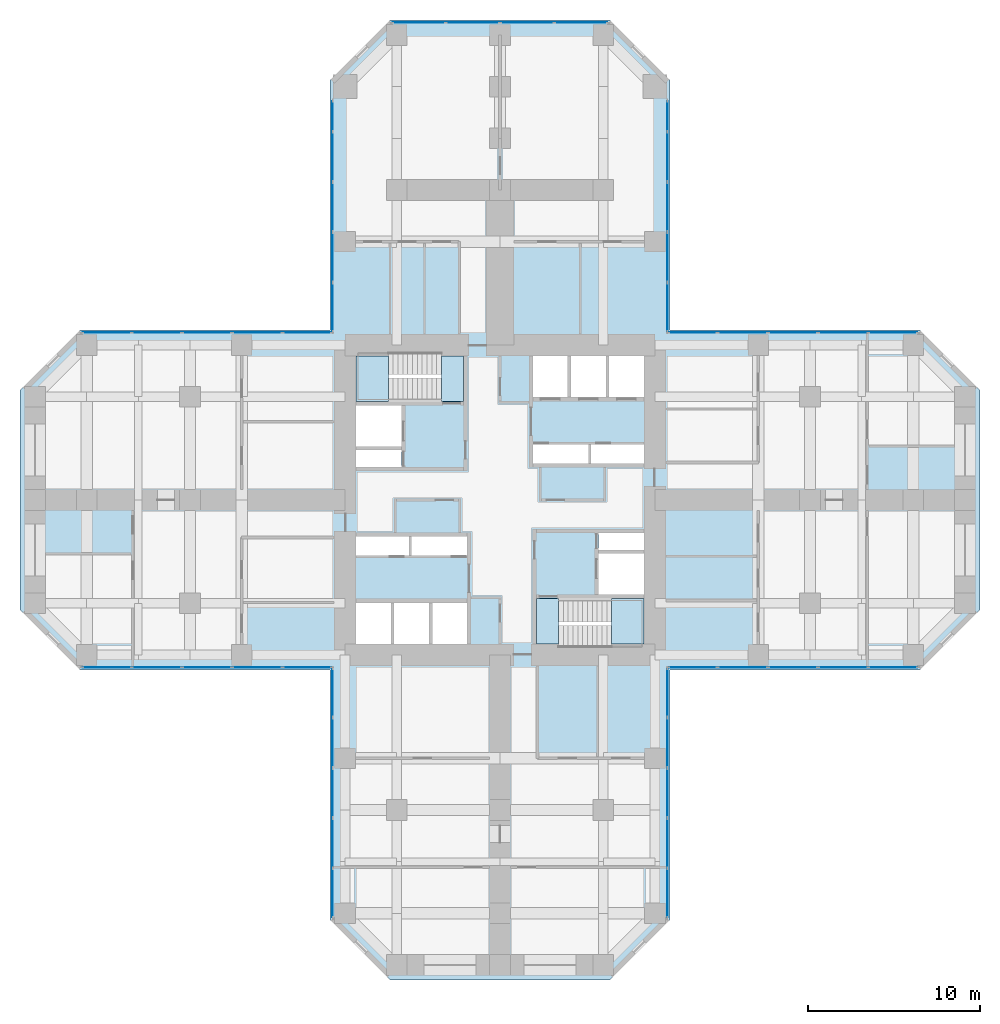
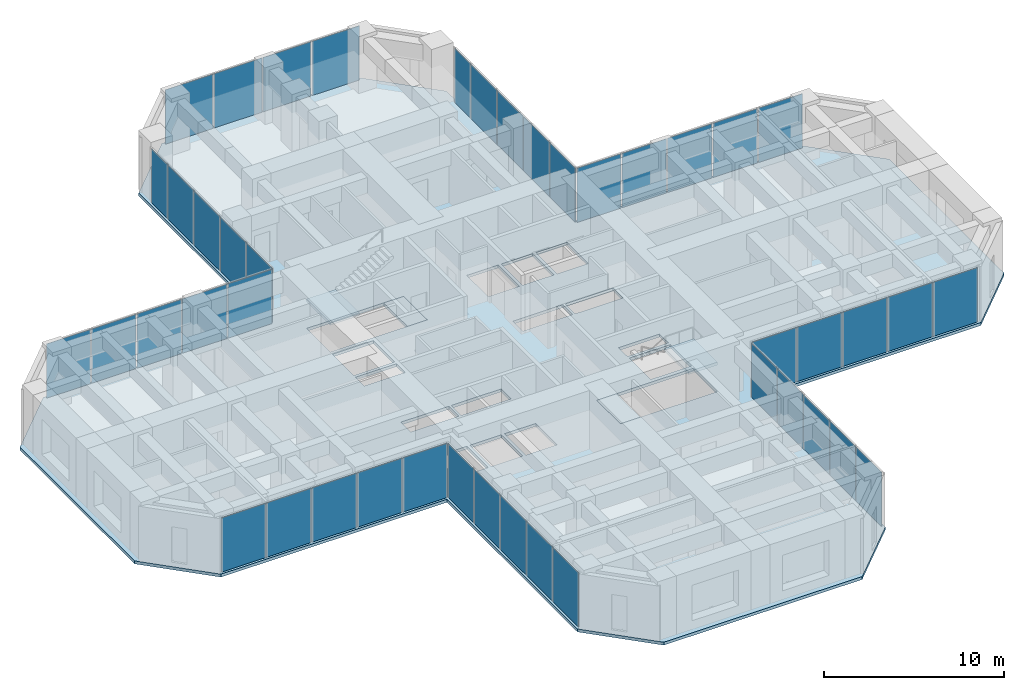
# One storey, part 7 of 13: 44 plates, 5 slabs, 11 elements without a shape of their own.
"""IFC4 building model written with IfcOpenShell, lengths in metres."""

from ifc_helpers import new_model, si_unit, direction, frame, origin, origin_2d, place, context, subcontext, project, spatial, polyline, rectangle, outline, extrude, material, layer, layer_set, type_object, element, aggregate, save


model = new_model("IFC4")

# Units and contexts
model_context = context("Model", 3, precision=1e-05, world=origin(), true_north=direction((0.0, 1.0)))
body_context = subcontext(model_context, "Body", "Model", "MODEL_VIEW")
ifc_project = project(units=[si_unit("LENGTHUNIT", "METRE"), si_unit("AREAUNIT", "SQUARE_METRE"), si_unit("VOLUMEUNIT", "CUBIC_METRE"), si_unit("PLANEANGLEUNIT", "RADIAN"), si_unit("MASSUNIT", "GRAM", prefix="KILO")], contexts=[model_context])

# Site, building, storey
site_placement = place(None, origin())
site = spatial("IfcSite", under=ifc_project, at=site_placement, CompositionType="ELEMENT")
building_placement = place(site_placement, origin())
building = spatial("IfcBuilding", under=site, at=building_placement, Name="Torre Cruceta", CompositionType="ELEMENT")
storey_placement = place(building_placement, frame((0.0, 0.0, 91.5)))
storey = spatial("IfcBuildingStorey", under=building, at=storey_placement, Name="L22", CompositionType="ELEMENT", Elevation=91.5)

# Curtain wall, plate
ifc_material_1 = material(Name="Aluminium unitised curtain wall", Category="aluminium")
curtain_wall_type = type_object("IfcCurtainWallType", Name="CURTAIN WALL CW-A OFFICE LOW RISE", PredefinedType="USERDEFINED", material=ifc_material_1)
curtain_wall_1_placement = place(storey_placement, origin())
curtain_wall_1 = element("IfcCurtainWall", 1, at=curtain_wall_1_placement, inside=storey, type_object=curtain_wall_type, Name="CW-A L22 E side 00", ObjectType="UNITISED", PredefinedType="USERDEFINED")
ifc_material_2 = material(Name="Laminated insulating glass unit, low-iron clear", Category="glass")
ifc_material_3 = material(Name="Laminated insulating glass unit, diagonal frit 50 %", Category="glass")
ifc_layer_1 = layer(ifc_material_3, 0.033935546875)
ifc_layer_set_1 = layer_set([ifc_layer_1], Name="Laminated insulating glass unit, diagonal frit 50 %")
plate_type_1 = type_object("IfcPlateType", Name="CW-A OPERABLE VENT PANEL 34", PredefinedType="CURTAIN_PANEL", material=ifc_layer_set_1)
plate_1_placement = place(storey_placement, frame((17.009033203125, -9.719970703125, 0.009765625), z_axis=(0.0, 0.0, 1.0), x_axis=(1.0, 0.0, 0.0)))
plate_1 = element("IfcPlate", 2, at=plate_1_placement, type_object=plate_type_1, material=ifc_material_2, Name="CW-A vent 3", PredefinedType="CURTAIN_PANEL", context=body_context, shape_type="SweptSolid", body=[
    extrude(rectangle(XDim=2.8505859375, YDim=0.033935546875, at=origin_2d()), origin(), (0.0, 0.0, 1.0), 3.675048828125),
])

curtain_wall_2_placement = place(storey_placement, origin())
curtain_wall_2 = element("IfcCurtainWall", 3, at=curtain_wall_2_placement, inside=storey, type_object=curtain_wall_type, Name="CW-A L22 E side 04", ObjectType="UNITISED", PredefinedType="USERDEFINED")
plate_2_placement = place(storey_placement, frame((17.009033203125, 9.719970703125, 0.009765625), z_axis=(0.0, 0.0, 1.0), x_axis=(-1.0, 0.0, 0.0)))
plate_2 = element("IfcPlate", 4, at=plate_2_placement, type_object=plate_type_1, material=ifc_material_2, Name="CW-A vent 3", PredefinedType="CURTAIN_PANEL", context=body_context, shape_type="SweptSolid", body=[
    extrude(rectangle(XDim=2.8505859375, YDim=0.033935546875, at=origin_2d()), origin(), (0.0, 0.0, 1.0), 3.675048828125),
])

curtain_wall_3_placement = place(storey_placement, origin())
curtain_wall_3 = element("IfcCurtainWall", 5, at=curtain_wall_3_placement, inside=storey, type_object=curtain_wall_type, Name="CW-A L22 N side 05", ObjectType="UNITISED", PredefinedType="USERDEFINED")
plate_3_placement = place(storey_placement, frame((9.719970703125, 17.009033203125, 0.009765625), z_axis=(0.0, 0.0, 1.0), x_axis=(0.0, 1.0, 0.0)))
plate_3 = element("IfcPlate", 6, at=plate_3_placement, type_object=plate_type_1, material=ifc_material_2, Name="CW-A vent 3", PredefinedType="CURTAIN_PANEL", context=body_context, shape_type="SweptSolid", body=[
    extrude(rectangle(XDim=2.8505859375, YDim=0.033935546875, at=origin_2d()), origin(), (0.0, 0.0, 1.0), 3.675048828125),
])

curtain_wall_4_placement = place(storey_placement, origin())
curtain_wall_4 = element("IfcCurtainWall", 7, at=curtain_wall_4_placement, inside=storey, type_object=curtain_wall_type, Name="CW-A L22 N tip 07", ObjectType="UNITISED", PredefinedType="USERDEFINED")
plate_4_placement = place(storey_placement, frame((-1.574462890625, 27.719970703125, 0.009765625), z_axis=(0.0, 0.0, 1.0), x_axis=(-1.0, 0.0, 0.0)))
plate_4 = element("IfcPlate", 8, at=plate_4_placement, type_object=plate_type_1, material=ifc_material_2, Name="CW-A vent 3", PredefinedType="CURTAIN_PANEL", context=body_context, shape_type="SweptSolid", body=[
    extrude(rectangle(XDim=3.084228515625, YDim=0.033935546875, at=origin_2d()), origin(), (0.0, 0.0, 1.0), 3.675048828125),
])

curtain_wall_5_placement = place(storey_placement, origin())
curtain_wall_5 = element("IfcCurtainWall", 9, at=curtain_wall_5_placement, inside=storey, type_object=curtain_wall_type, Name="CW-A L22 N side 09", ObjectType="UNITISED", PredefinedType="USERDEFINED")
plate_5_placement = place(storey_placement, frame((-9.719970703125, 17.009033203125, 0.009765625), z_axis=(0.0, 0.0, 1.0), x_axis=(0.0, -1.0, 0.0)))
plate_5 = element("IfcPlate", 10, at=plate_5_placement, type_object=plate_type_1, material=ifc_material_2, Name="CW-A vent 3", PredefinedType="CURTAIN_PANEL", context=body_context, shape_type="SweptSolid", body=[
    extrude(rectangle(XDim=2.8505859375, YDim=0.033935546875, at=origin_2d()), origin(), (0.0, 0.0, 1.0), 3.675048828125),
])

curtain_wall_6_placement = place(storey_placement, origin())
curtain_wall_6 = element("IfcCurtainWall", 11, at=curtain_wall_6_placement, inside=storey, type_object=curtain_wall_type, Name="CW-A L22 W side 10", ObjectType="UNITISED", PredefinedType="USERDEFINED")
plate_6_placement = place(storey_placement, frame((-17.009033203125, 9.719970703125, 0.009765625), z_axis=(0.0, 0.0, 1.0), x_axis=(-1.0, 0.0, 0.0)))
plate_6 = element("IfcPlate", 12, at=plate_6_placement, type_object=plate_type_1, material=ifc_material_2, Name="CW-A vent 3", PredefinedType="CURTAIN_PANEL", context=body_context, shape_type="SweptSolid", body=[
    extrude(rectangle(XDim=2.8505859375, YDim=0.033935546875, at=origin_2d()), origin(), (0.0, 0.0, 1.0), 3.675048828125),
])

curtain_wall_7_placement = place(storey_placement, origin())
curtain_wall_7 = element("IfcCurtainWall", 13, at=curtain_wall_7_placement, inside=storey, type_object=curtain_wall_type, Name="CW-A L22 W side 14", ObjectType="UNITISED", PredefinedType="USERDEFINED")
plate_7_placement = place(storey_placement, frame((-17.009033203125, -9.719970703125, 0.009765625), z_axis=(0.0, 0.0, 1.0), x_axis=(1.0, 0.0, 0.0)))
plate_7 = element("IfcPlate", 14, at=plate_7_placement, type_object=plate_type_1, material=ifc_material_2, Name="CW-A vent 3", PredefinedType="CURTAIN_PANEL", context=body_context, shape_type="SweptSolid", body=[
    extrude(rectangle(XDim=2.8505859375, YDim=0.033935546875, at=origin_2d()), origin(), (0.0, 0.0, 1.0), 3.675048828125),
])

curtain_wall_8_placement = place(storey_placement, origin())
curtain_wall_8 = element("IfcCurtainWall", 15, at=curtain_wall_8_placement, inside=storey, type_object=curtain_wall_type, Name="CW-A L22 S side 15", ObjectType="UNITISED", PredefinedType="USERDEFINED")
plate_8_placement = place(storey_placement, frame((-9.719970703125, -17.009033203125, 0.009765625), z_axis=(0.0, 0.0, 1.0), x_axis=(0.0, -1.0, 0.0)))
plate_8 = element("IfcPlate", 16, at=plate_8_placement, type_object=plate_type_1, material=ifc_material_2, Name="CW-A vent 3", PredefinedType="CURTAIN_PANEL", context=body_context, shape_type="SweptSolid", body=[
    extrude(rectangle(XDim=2.8505859375, YDim=0.033935546875, at=origin_2d()), origin(), (0.0, 0.0, 1.0), 3.675048828125),
])

curtain_wall_9_placement = place(storey_placement, origin())
curtain_wall_9 = element("IfcCurtainWall", 17, at=curtain_wall_9_placement, inside=storey, type_object=curtain_wall_type, Name="CW-A L22 S side 19", ObjectType="UNITISED", PredefinedType="USERDEFINED")
plate_9_placement = place(storey_placement, frame((9.719970703125, -17.009033203125, 0.009765625), z_axis=(0.0, 0.0, 1.0), x_axis=(0.0, 1.0, 0.0)))
plate_9 = element("IfcPlate", 18, at=plate_9_placement, type_object=plate_type_1, material=ifc_material_2, Name="CW-A vent 3", PredefinedType="CURTAIN_PANEL", context=body_context, shape_type="SweptSolid", body=[
    extrude(rectangle(XDim=2.8505859375, YDim=0.033935546875, at=origin_2d()), origin(), (0.0, 0.0, 1.0), 3.675048828125),
])

# Plate
ifc_material_4 = material(Name="Laminated insulating glass unit, diagonal frit 50 %", Category="glass")
ifc_material_5 = material(Name="Laminated insulating glass unit, diagonal frit 50 %", Category="glass")
ifc_layer_2 = layer(ifc_material_5, 0.033935546875)
ifc_layer_set_2 = layer_set([ifc_layer_2], Name="Laminated insulating glass unit, diagonal frit 50 %")
plate_type_2 = type_object("IfcPlateType", Name="CW-A PANEL 34", PredefinedType="CURTAIN_PANEL", material=ifc_layer_set_2)
plate_10_placement = place(storey_placement, frame((11.194091796875, -9.719970703125, 0.009765625), z_axis=(0.0, 0.0, 1.0), x_axis=(1.0, 0.0, 0.0)))
plate_10 = element("IfcPlate", 19, at=plate_10_placement, type_object=plate_type_2, material=ifc_material_4, Name="CW-A panel 1", PredefinedType="CURTAIN_PANEL", context=body_context, shape_type="SweptSolid", body=[
    extrude(rectangle(XDim=2.818115234375, YDim=0.033935546875, at=origin_2d()), origin(), (0.0, 0.0, 1.0), 3.675048828125),
])

plate_11_placement = place(storey_placement, frame((14.093505859375, -9.719970703125, 0.009765625), z_axis=(0.0, 0.0, 1.0), x_axis=(1.0, 0.0, 0.0)))
plate_11 = element("IfcPlate", 20, at=plate_11_placement, type_object=plate_type_2, material=ifc_material_4, Name="CW-A panel 2", PredefinedType="CURTAIN_PANEL", context=body_context, shape_type="SweptSolid", body=[
    extrude(rectangle(XDim=2.8505859375, YDim=0.033935546875, at=origin_2d()), origin(), (0.0, 0.0, 1.0), 3.675048828125),
])

plate_12_placement = place(storey_placement, frame((19.9248046875, -9.719970703125, 0.009765625), z_axis=(0.0, 0.0, 1.0), x_axis=(1.0, 0.0, 0.0)))
plate_12 = element("IfcPlate", 21, at=plate_12_placement, type_object=plate_type_2, material=ifc_material_2, Name="CW-A panel 4", PredefinedType="CURTAIN_PANEL", context=body_context, shape_type="SweptSolid", body=[
    extrude(rectangle(XDim=2.8505859375, YDim=0.033935546875, at=origin_2d()), origin(), (0.0, 0.0, 1.0), 3.675048828125),
])

plate_13_placement = place(storey_placement, frame((22.82421875, -9.719970703125, 0.009765625), z_axis=(0.0, 0.0, 1.0), x_axis=(1.0, 0.0, 0.0)))
plate_13 = element("IfcPlate", 22, at=plate_13_placement, type_object=plate_type_2, material=ifc_material_4, Name="CW-A panel 5", PredefinedType="CURTAIN_PANEL", context=body_context, shape_type="SweptSolid", body=[
    extrude(rectangle(XDim=2.818115234375, YDim=0.033935546875, at=origin_2d()), origin(), (0.0, 0.0, 1.0), 3.675048828125),
])

aggregate(curtain_wall_1, [plate_10, plate_11, plate_1, plate_12, plate_13])

plate_14_placement = place(storey_placement, frame((22.82421875, 9.719970703125, 0.009765625), z_axis=(0.0, 0.0, 1.0), x_axis=(-1.0, 0.0, 0.0)))
plate_14 = element("IfcPlate", 23, at=plate_14_placement, type_object=plate_type_2, material=ifc_material_4, Name="CW-A panel 1", PredefinedType="CURTAIN_PANEL", context=body_context, shape_type="SweptSolid", body=[
    extrude(rectangle(XDim=2.818115234375, YDim=0.033935546875, at=origin_2d()), origin(), (0.0, 0.0, 1.0), 3.675048828125),
])

plate_15_placement = place(storey_placement, frame((19.9248046875, 9.719970703125, 0.009765625), z_axis=(0.0, 0.0, 1.0), x_axis=(-1.0, 0.0, 0.0)))
plate_15 = element("IfcPlate", 24, at=plate_15_placement, type_object=plate_type_2, material=ifc_material_4, Name="CW-A panel 2", PredefinedType="CURTAIN_PANEL", context=body_context, shape_type="SweptSolid", body=[
    extrude(rectangle(XDim=2.8505859375, YDim=0.033935546875, at=origin_2d()), origin(), (0.0, 0.0, 1.0), 3.675048828125),
])

plate_16_placement = place(storey_placement, frame((14.093505859375, 9.719970703125, 0.009765625), z_axis=(0.0, 0.0, 1.0), x_axis=(-1.0, 0.0, 0.0)))
plate_16 = element("IfcPlate", 25, at=plate_16_placement, type_object=plate_type_2, material=ifc_material_2, Name="CW-A panel 4", PredefinedType="CURTAIN_PANEL", context=body_context, shape_type="SweptSolid", body=[
    extrude(rectangle(XDim=2.8505859375, YDim=0.033935546875, at=origin_2d()), origin(), (0.0, 0.0, 1.0), 3.675048828125),
])

plate_17_placement = place(storey_placement, frame((11.194091796875, 9.719970703125, 0.009765625), z_axis=(0.0, 0.0, 1.0), x_axis=(-1.0, 0.0, 0.0)))
plate_17 = element("IfcPlate", 26, at=plate_17_placement, type_object=plate_type_2, material=ifc_material_4, Name="CW-A panel 5", PredefinedType="CURTAIN_PANEL", context=body_context, shape_type="SweptSolid", body=[
    extrude(rectangle(XDim=2.818115234375, YDim=0.033935546875, at=origin_2d()), origin(), (0.0, 0.0, 1.0), 3.675048828125),
])

aggregate(curtain_wall_2, [plate_14, plate_15, plate_2, plate_16, plate_17])

plate_18_placement = place(storey_placement, frame((9.719970703125, 11.194091796875, 0.009765625), z_axis=(0.0, 0.0, 1.0), x_axis=(0.0, 1.0, 0.0)))
plate_18 = element("IfcPlate", 27, at=plate_18_placement, type_object=plate_type_2, material=ifc_material_4, Name="CW-A panel 1", PredefinedType="CURTAIN_PANEL", context=body_context, shape_type="SweptSolid", body=[
    extrude(rectangle(XDim=2.818115234375, YDim=0.033935546875, at=origin_2d()), origin(), (0.0, 0.0, 1.0), 3.675048828125),
])

plate_19_placement = place(storey_placement, frame((9.719970703125, 14.093505859375, 0.009765625), z_axis=(0.0, 0.0, 1.0), x_axis=(0.0, 1.0, 0.0)))
plate_19 = element("IfcPlate", 28, at=plate_19_placement, type_object=plate_type_2, material=ifc_material_4, Name="CW-A panel 2", PredefinedType="CURTAIN_PANEL", context=body_context, shape_type="SweptSolid", body=[
    extrude(rectangle(XDim=2.8505859375, YDim=0.033935546875, at=origin_2d()), origin(), (0.0, 0.0, 1.0), 3.675048828125),
])

plate_20_placement = place(storey_placement, frame((9.719970703125, 19.9248046875, 0.009765625), z_axis=(0.0, 0.0, 1.0), x_axis=(0.0, 1.0, 0.0)))
plate_20 = element("IfcPlate", 29, at=plate_20_placement, type_object=plate_type_2, material=ifc_material_2, Name="CW-A panel 4", PredefinedType="CURTAIN_PANEL", context=body_context, shape_type="SweptSolid", body=[
    extrude(rectangle(XDim=2.8505859375, YDim=0.033935546875, at=origin_2d()), origin(), (0.0, 0.0, 1.0), 3.675048828125),
])

plate_21_placement = place(storey_placement, frame((9.719970703125, 22.290771484375, 0.009765625), z_axis=(0.0, 0.0, 1.0), x_axis=(0.0, 1.0, 0.0)))
plate_21 = element("IfcPlate", 30, at=plate_21_placement, type_object=plate_type_2, material=ifc_material_4, Name="CW-A panel 5", PredefinedType="CURTAIN_PANEL", context=body_context, shape_type="SweptSolid", body=[
    extrude(rectangle(XDim=1.75146484375, YDim=0.033935546875, at=origin_2d()), origin(), (0.0, 0.0, 1.0), 3.675048828125),
])

aggregate(curtain_wall_3, [plate_18, plate_19, plate_3, plate_20, plate_21])

plate_22_placement = place(storey_placement, frame((4.70751953125, 27.719970703125, 0.009765625), z_axis=(0.0, 0.0, 1.0), x_axis=(-1.0, 0.0, 0.0)))
plate_22 = element("IfcPlate", 31, at=plate_22_placement, type_object=plate_type_2, material=ifc_material_4, Name="CW-A panel 1", PredefinedType="CURTAIN_PANEL", context=body_context, shape_type="SweptSolid", body=[
    extrude(rectangle(XDim=3.051513671875, YDim=0.033935546875, at=origin_2d()), origin(), (0.0, 0.0, 1.0), 3.675048828125),
])

plate_23_placement = place(storey_placement, frame((1.574462890625, 27.719970703125, 0.009765625), z_axis=(0.0, 0.0, 1.0), x_axis=(-1.0, 0.0, 0.0)))
plate_23 = element("IfcPlate", 32, at=plate_23_placement, type_object=plate_type_2, material=ifc_material_4, Name="CW-A panel 2", PredefinedType="CURTAIN_PANEL", context=body_context, shape_type="SweptSolid", body=[
    extrude(rectangle(XDim=3.084228515625, YDim=0.033935546875, at=origin_2d()), origin(), (0.0, 0.0, 1.0), 3.675048828125),
])

plate_24_placement = place(storey_placement, frame((-4.70751953125, 27.719970703125, 0.009765625), z_axis=(0.0, 0.0, 1.0), x_axis=(-1.0, 0.0, 0.0)))
plate_24 = element("IfcPlate", 33, at=plate_24_placement, type_object=plate_type_2, material=ifc_material_2, Name="CW-A panel 4", PredefinedType="CURTAIN_PANEL", context=body_context, shape_type="SweptSolid", body=[
    extrude(rectangle(XDim=3.051513671875, YDim=0.033935546875, at=origin_2d()), origin(), (0.0, 0.0, 1.0), 3.675048828125),
])

aggregate(curtain_wall_4, [plate_22, plate_23, plate_4, plate_24])

plate_25_placement = place(storey_placement, frame((-9.719970703125, 22.290771484375, 0.009765625), z_axis=(0.0, 0.0, 1.0), x_axis=(0.0, -1.0, 0.0)))
plate_25 = element("IfcPlate", 34, at=plate_25_placement, type_object=plate_type_2, material=ifc_material_4, Name="CW-A panel 1", PredefinedType="CURTAIN_PANEL", context=body_context, shape_type="SweptSolid", body=[
    extrude(rectangle(XDim=1.75146484375, YDim=0.033935546875, at=origin_2d()), origin(), (0.0, 0.0, 1.0), 3.675048828125),
])

plate_26_placement = place(storey_placement, frame((-9.719970703125, 19.9248046875, 0.009765625), z_axis=(0.0, 0.0, 1.0), x_axis=(0.0, -1.0, 0.0)))
plate_26 = element("IfcPlate", 35, at=plate_26_placement, type_object=plate_type_2, material=ifc_material_4, Name="CW-A panel 2", PredefinedType="CURTAIN_PANEL", context=body_context, shape_type="SweptSolid", body=[
    extrude(rectangle(XDim=2.8505859375, YDim=0.033935546875, at=origin_2d()), origin(), (0.0, 0.0, 1.0), 3.675048828125),
])

plate_27_placement = place(storey_placement, frame((-9.719970703125, 14.093505859375, 0.009765625), z_axis=(0.0, 0.0, 1.0), x_axis=(0.0, -1.0, 0.0)))
plate_27 = element("IfcPlate", 36, at=plate_27_placement, type_object=plate_type_2, material=ifc_material_2, Name="CW-A panel 4", PredefinedType="CURTAIN_PANEL", context=body_context, shape_type="SweptSolid", body=[
    extrude(rectangle(XDim=2.8505859375, YDim=0.033935546875, at=origin_2d()), origin(), (0.0, 0.0, 1.0), 3.675048828125),
])

plate_28_placement = place(storey_placement, frame((-9.719970703125, 11.194091796875, 0.009765625), z_axis=(0.0, 0.0, 1.0), x_axis=(0.0, -1.0, 0.0)))
plate_28 = element("IfcPlate", 37, at=plate_28_placement, type_object=plate_type_2, material=ifc_material_4, Name="CW-A panel 5", PredefinedType="CURTAIN_PANEL", context=body_context, shape_type="SweptSolid", body=[
    extrude(rectangle(XDim=2.818115234375, YDim=0.033935546875, at=origin_2d()), origin(), (0.0, 0.0, 1.0), 3.675048828125),
])

aggregate(curtain_wall_5, [plate_25, plate_26, plate_5, plate_27, plate_28])

plate_29_placement = place(storey_placement, frame((-11.194091796875, 9.719970703125, 0.009765625), z_axis=(0.0, 0.0, 1.0), x_axis=(-1.0, 0.0, 0.0)))
plate_29 = element("IfcPlate", 38, at=plate_29_placement, type_object=plate_type_2, material=ifc_material_4, Name="CW-A panel 1", PredefinedType="CURTAIN_PANEL", context=body_context, shape_type="SweptSolid", body=[
    extrude(rectangle(XDim=2.818115234375, YDim=0.033935546875, at=origin_2d()), origin(), (0.0, 0.0, 1.0), 3.675048828125),
])

plate_30_placement = place(storey_placement, frame((-14.093505859375, 9.719970703125, 0.009765625), z_axis=(0.0, 0.0, 1.0), x_axis=(-1.0, 0.0, 0.0)))
plate_30 = element("IfcPlate", 39, at=plate_30_placement, type_object=plate_type_2, material=ifc_material_4, Name="CW-A panel 2", PredefinedType="CURTAIN_PANEL", context=body_context, shape_type="SweptSolid", body=[
    extrude(rectangle(XDim=2.8505859375, YDim=0.033935546875, at=origin_2d()), origin(), (0.0, 0.0, 1.0), 3.675048828125),
])

plate_31_placement = place(storey_placement, frame((-19.9248046875, 9.719970703125, 0.009765625), z_axis=(0.0, 0.0, 1.0), x_axis=(-1.0, 0.0, 0.0)))
plate_31 = element("IfcPlate", 40, at=plate_31_placement, type_object=plate_type_2, material=ifc_material_2, Name="CW-A panel 4", PredefinedType="CURTAIN_PANEL", context=body_context, shape_type="SweptSolid", body=[
    extrude(rectangle(XDim=2.8505859375, YDim=0.033935546875, at=origin_2d()), origin(), (0.0, 0.0, 1.0), 3.675048828125),
])

plate_32_placement = place(storey_placement, frame((-22.82421875, 9.719970703125, 0.009765625), z_axis=(0.0, 0.0, 1.0), x_axis=(-1.0, 0.0, 0.0)))
plate_32 = element("IfcPlate", 41, at=plate_32_placement, type_object=plate_type_2, material=ifc_material_4, Name="CW-A panel 5", PredefinedType="CURTAIN_PANEL", context=body_context, shape_type="SweptSolid", body=[
    extrude(rectangle(XDim=2.818115234375, YDim=0.033935546875, at=origin_2d()), origin(), (0.0, 0.0, 1.0), 3.675048828125),
])

aggregate(curtain_wall_6, [plate_29, plate_30, plate_6, plate_31, plate_32])

plate_33_placement = place(storey_placement, frame((-22.82421875, -9.719970703125, 0.009765625), z_axis=(0.0, 0.0, 1.0), x_axis=(1.0, 0.0, 0.0)))
plate_33 = element("IfcPlate", 42, at=plate_33_placement, type_object=plate_type_2, material=ifc_material_4, Name="CW-A panel 1", PredefinedType="CURTAIN_PANEL", context=body_context, shape_type="SweptSolid", body=[
    extrude(rectangle(XDim=2.818115234375, YDim=0.033935546875, at=origin_2d()), origin(), (0.0, 0.0, 1.0), 3.675048828125),
])

plate_34_placement = place(storey_placement, frame((-19.9248046875, -9.719970703125, 0.009765625), z_axis=(0.0, 0.0, 1.0), x_axis=(1.0, 0.0, 0.0)))
plate_34 = element("IfcPlate", 43, at=plate_34_placement, type_object=plate_type_2, material=ifc_material_4, Name="CW-A panel 2", PredefinedType="CURTAIN_PANEL", context=body_context, shape_type="SweptSolid", body=[
    extrude(rectangle(XDim=2.8505859375, YDim=0.033935546875, at=origin_2d()), origin(), (0.0, 0.0, 1.0), 3.675048828125),
])

plate_35_placement = place(storey_placement, frame((-14.093505859375, -9.719970703125, 0.009765625), z_axis=(0.0, 0.0, 1.0), x_axis=(1.0, 0.0, 0.0)))
plate_35 = element("IfcPlate", 44, at=plate_35_placement, type_object=plate_type_2, material=ifc_material_2, Name="CW-A panel 4", PredefinedType="CURTAIN_PANEL", context=body_context, shape_type="SweptSolid", body=[
    extrude(rectangle(XDim=2.8505859375, YDim=0.033935546875, at=origin_2d()), origin(), (0.0, 0.0, 1.0), 3.675048828125),
])

plate_36_placement = place(storey_placement, frame((-11.194091796875, -9.719970703125, 0.009765625), z_axis=(0.0, 0.0, 1.0), x_axis=(1.0, 0.0, 0.0)))
plate_36 = element("IfcPlate", 45, at=plate_36_placement, type_object=plate_type_2, material=ifc_material_4, Name="CW-A panel 5", PredefinedType="CURTAIN_PANEL", context=body_context, shape_type="SweptSolid", body=[
    extrude(rectangle(XDim=2.818115234375, YDim=0.033935546875, at=origin_2d()), origin(), (0.0, 0.0, 1.0), 3.675048828125),
])

aggregate(curtain_wall_7, [plate_33, plate_34, plate_7, plate_35, plate_36])

plate_37_placement = place(storey_placement, frame((-9.719970703125, -11.194091796875, 0.009765625), z_axis=(0.0, 0.0, 1.0), x_axis=(0.0, -1.0, 0.0)))
plate_37 = element("IfcPlate", 46, at=plate_37_placement, type_object=plate_type_2, material=ifc_material_4, Name="CW-A panel 1", PredefinedType="CURTAIN_PANEL", context=body_context, shape_type="SweptSolid", body=[
    extrude(rectangle(XDim=2.818115234375, YDim=0.033935546875, at=origin_2d()), origin(), (0.0, 0.0, 1.0), 3.675048828125),
])

plate_38_placement = place(storey_placement, frame((-9.719970703125, -14.093505859375, 0.009765625), z_axis=(0.0, 0.0, 1.0), x_axis=(0.0, -1.0, 0.0)))
plate_38 = element("IfcPlate", 47, at=plate_38_placement, type_object=plate_type_2, material=ifc_material_4, Name="CW-A panel 2", PredefinedType="CURTAIN_PANEL", context=body_context, shape_type="SweptSolid", body=[
    extrude(rectangle(XDim=2.8505859375, YDim=0.033935546875, at=origin_2d()), origin(), (0.0, 0.0, 1.0), 3.675048828125),
])

plate_39_placement = place(storey_placement, frame((-9.719970703125, -19.9248046875, 0.009765625), z_axis=(0.0, 0.0, 1.0), x_axis=(0.0, -1.0, 0.0)))
plate_39 = element("IfcPlate", 48, at=plate_39_placement, type_object=plate_type_2, material=ifc_material_2, Name="CW-A panel 4", PredefinedType="CURTAIN_PANEL", context=body_context, shape_type="SweptSolid", body=[
    extrude(rectangle(XDim=2.8505859375, YDim=0.033935546875, at=origin_2d()), origin(), (0.0, 0.0, 1.0), 3.675048828125),
])

plate_40_placement = place(storey_placement, frame((-9.719970703125, -22.82421875, 0.009765625), z_axis=(0.0, 0.0, 1.0), x_axis=(0.0, -1.0, 0.0)))
plate_40 = element("IfcPlate", 49, at=plate_40_placement, type_object=plate_type_2, material=ifc_material_4, Name="CW-A panel 5", PredefinedType="CURTAIN_PANEL", context=body_context, shape_type="SweptSolid", body=[
    extrude(rectangle(XDim=2.818115234375, YDim=0.033935546875, at=origin_2d()), origin(), (0.0, 0.0, 1.0), 3.675048828125),
])

aggregate(curtain_wall_8, [plate_37, plate_38, plate_8, plate_39, plate_40])

plate_41_placement = place(storey_placement, frame((9.719970703125, -22.82421875, 0.009765625), z_axis=(0.0, 0.0, 1.0), x_axis=(0.0, 1.0, 0.0)))
plate_41 = element("IfcPlate", 50, at=plate_41_placement, type_object=plate_type_2, material=ifc_material_4, Name="CW-A panel 1", PredefinedType="CURTAIN_PANEL", context=body_context, shape_type="SweptSolid", body=[
    extrude(rectangle(XDim=2.818115234375, YDim=0.033935546875, at=origin_2d()), origin(), (0.0, 0.0, 1.0), 3.675048828125),
])

plate_42_placement = place(storey_placement, frame((9.719970703125, -19.9248046875, 0.009765625), z_axis=(0.0, 0.0, 1.0), x_axis=(0.0, 1.0, 0.0)))
plate_42 = element("IfcPlate", 51, at=plate_42_placement, type_object=plate_type_2, material=ifc_material_4, Name="CW-A panel 2", PredefinedType="CURTAIN_PANEL", context=body_context, shape_type="SweptSolid", body=[
    extrude(rectangle(XDim=2.8505859375, YDim=0.033935546875, at=origin_2d()), origin(), (0.0, 0.0, 1.0), 3.675048828125),
])

plate_43_placement = place(storey_placement, frame((9.719970703125, -14.093505859375, 0.009765625), z_axis=(0.0, 0.0, 1.0), x_axis=(0.0, 1.0, 0.0)))
plate_43 = element("IfcPlate", 52, at=plate_43_placement, type_object=plate_type_2, material=ifc_material_2, Name="CW-A panel 4", PredefinedType="CURTAIN_PANEL", context=body_context, shape_type="SweptSolid", body=[
    extrude(rectangle(XDim=2.8505859375, YDim=0.033935546875, at=origin_2d()), origin(), (0.0, 0.0, 1.0), 3.675048828125),
])

plate_44_placement = place(storey_placement, frame((9.719970703125, -11.194091796875, 0.009765625), z_axis=(0.0, 0.0, 1.0), x_axis=(0.0, 1.0, 0.0)))
plate_44 = element("IfcPlate", 53, at=plate_44_placement, type_object=plate_type_2, material=ifc_material_4, Name="CW-A panel 5", PredefinedType="CURTAIN_PANEL", context=body_context, shape_type="SweptSolid", body=[
    extrude(rectangle(XDim=2.818115234375, YDim=0.033935546875, at=origin_2d()), origin(), (0.0, 0.0, 1.0), 3.675048828125),
])

aggregate(curtain_wall_9, [plate_41, plate_42, plate_9, plate_43, plate_44])

# Slab
ifc_material_6 = material(Name="Concrete G35 (fck 35 MPa)", Category="concrete")
ifc_layer_3 = layer(ifc_material_6, 0.199951171875)
ifc_layer_set_3 = layer_set([ifc_layer_3], Name="Concrete G35 (fck 35 MPa)")
slab_type_1 = type_object("IfcSlabType", Name="FLOOR SLAB 200", PredefinedType="FLOOR", material=ifc_layer_set_3)
slab_1_placement = place(storey_placement, frame((0.0, 0.0, -0.199951171875)))
element("IfcSlab", 54, at=slab_1_placement, inside=storey, type_object=slab_type_1, Name="Floor Slab L22", PredefinedType="FLOOR", context=body_context, shape_type="SweptSolid", body=[
    extrude(outline(polyline([(9.8701171875, -9.8701171875), (9.8701171875, -24.3603515625), (6.3603515625, -27.8701171875), (-6.3603515625, -27.8701171875), (-9.8701171875, -24.3603515625), (-9.8701171875, -9.8701171875), (-24.3603515625, -9.8701171875), (-27.8701171875, -6.3603515625), (-27.8701171875, 6.3603515625), (-24.3603515625, 9.8701171875), (-9.8701171875, 9.8701171875), (-9.8701171875, 24.3603515625), (-6.3603515625, 27.8701171875), (6.3603515625, 27.8701171875), (9.8701171875, 24.3603515625), (9.8701171875, 9.8701171875), (24.3603515625, 9.8701171875), (27.8701171875, 6.3603515625), (27.8701171875, -6.3603515625), (24.3603515625, -9.8701171875), (9.8701171875, -9.8701171875)]), holes=[polyline([(1.925048828125, 5.97509765625), (3.933349609375, 5.97509765625), (3.933349609375, 8.35009765625), (1.925048828125, 8.35009765625), (1.925048828125, 5.97509765625)]), polyline([(4.13330078125, 5.97509765625), (6.1416015625, 5.97509765625), (6.1416015625, 8.35009765625), (4.13330078125, 8.35009765625), (4.13330078125, 5.97509765625)]), polyline([(6.341552734375, 5.97509765625), (8.35009765625, 5.97509765625), (8.35009765625, 8.35009765625), (6.341552734375, 8.35009765625), (6.341552734375, 5.97509765625)]), polyline([(1.925048828125, 2.125), (5.125, 2.125), (5.125, 3.22509765625), (1.925048828125, 3.22509765625), (1.925048828125, 2.125)]), polyline([(5.27490234375, 2.125), (8.35009765625, 2.125), (8.35009765625, 3.22509765625), (5.27490234375, 3.22509765625), (5.27490234375, 2.125)]), polyline([(-8.35009765625, 3.10009765625), (-5.72509765625, 3.10009765625), (-5.72509765625, 5.47509765625), (-8.35009765625, 5.47509765625), (-8.35009765625, 3.10009765625)]), polyline([(-8.35009765625, 1.925048828125), (-5.72509765625, 1.925048828125), (-5.72509765625, 2.89990234375), (-8.35009765625, 2.89990234375), (-8.35009765625, 1.925048828125)]), polyline([(-3.933349609375, -8.35009765625), (-1.925048828125, -8.35009765625), (-1.925048828125, -5.97509765625), (-3.933349609375, -5.97509765625), (-3.933349609375, -8.35009765625)]), polyline([(-6.1416015625, -8.35009765625), (-4.13330078125, -8.35009765625), (-4.13330078125, -5.97509765625), (-6.1416015625, -5.97509765625), (-6.1416015625, -8.35009765625)]), polyline([(-8.35009765625, -8.35009765625), (-6.341552734375, -8.35009765625), (-6.341552734375, -5.97509765625), (-8.35009765625, -5.97509765625), (-8.35009765625, -8.35009765625)]), polyline([(-5.125, -3.22509765625), (-1.925048828125, -3.22509765625), (-1.925048828125, -2.125), (-5.125, -2.125), (-5.125, -3.22509765625)]), polyline([(-8.35009765625, -3.22509765625), (-5.27490234375, -3.22509765625), (-5.27490234375, -2.125), (-8.35009765625, -2.125), (-8.35009765625, -3.22509765625)]), polyline([(5.72509765625, -5.47509765625), (8.35009765625, -5.47509765625), (8.35009765625, -3.10009765625), (5.72509765625, -3.10009765625), (5.72509765625, -5.47509765625)]), polyline([(5.72509765625, -2.89990234375), (8.35009765625, -2.89990234375), (8.35009765625, -1.925048828125), (5.72509765625, -1.925048828125), (5.72509765625, -2.89990234375)]), polyline([(-8.35009765625, 5.72509765625), (-8.35009765625, 8.35009765625), (-3.39990234375, 8.35009765625), (-2.125, 8.35009765625), (-2.125, 5.72509765625), (-3.39990234375, 5.72509765625), (-8.35009765625, 5.72509765625)]), polyline([(2.125, -5.72509765625), (3.39990234375, -5.72509765625), (8.35009765625, -5.72509765625), (8.35009765625, -8.35009765625), (3.39990234375, -8.35009765625), (2.125, -8.35009765625), (2.125, -5.72509765625)])]), origin(), (0.0, 0.0, 1.0), 0.199951171875),
])

# Stair, slab
ifc_material_7 = material(Name="Concrete G30 (fck 30 MPa)", Category="concrete")
stair_type = type_object("IfcStairType", Name="STAIR HALF-TURN 1300", PredefinedType="HALF_TURN_STAIR", material=ifc_material_7)
stair_1_placement = place(storey_placement, origin())
stair_1 = element("IfcStair", 55, at=stair_1_placement, inside=storey, type_object=stair_type, Name="Stair ST1 L22", PredefinedType="HALF_TURN_STAIR")
ifc_material_8 = material(Name="Concrete G30 (fck 30 MPa)", Category="concrete")
ifc_layer_4 = layer(ifc_material_8, 0.199951171875)
ifc_layer_set_4 = layer_set([ifc_layer_4], Name="Concrete G30 (fck 30 MPa)")
slab_type_2 = type_object("IfcSlabType", Name="STAIR LANDING 200", PredefinedType="LANDING", material=ifc_layer_set_4)
slab_2_placement = place(storey_placement, frame((0.0, 0.0, 1.800048828125)))
slab_2 = element("IfcSlab", 56, at=slab_2_placement, type_object=slab_type_2, Name="ST1 landing 1", PredefinedType="LANDING", context=body_context, shape_type="SweptSolid", body=[
    extrude(outline(polyline([(-8.35009765625, 5.72509765625), (-6.47998046875, 5.72509765625), (-6.47998046875, 8.35009765625), (-8.35009765625, 8.35009765625), (-8.35009765625, 5.72509765625)])), origin(), (0.0, 0.0, 1.0), 0.199951171875),
])
aggregate(stair_1, [slab_2])

stair_2_placement = place(storey_placement, origin())
stair_2 = element("IfcStair", 57, at=stair_2_placement, inside=storey, type_object=stair_type, Name="Stair ST2 L22", PredefinedType="HALF_TURN_STAIR")
slab_3_placement = place(storey_placement, frame((0.0, 0.0, 1.800048828125)))
slab_3 = element("IfcSlab", 58, at=slab_3_placement, type_object=slab_type_2, Name="ST2 landing 1", PredefinedType="LANDING", context=body_context, shape_type="SweptSolid", body=[
    extrude(outline(polyline([(6.47998046875, -8.35009765625), (8.35009765625, -8.35009765625), (8.35009765625, -5.72509765625), (6.47998046875, -5.72509765625), (6.47998046875, -8.35009765625)])), origin(), (0.0, 0.0, 1.0), 0.199951171875),
])
aggregate(stair_2, [slab_3])

# Slabs
slab_4_placement = place(storey_placement, frame((0.0, 0.0, -0.199951171875)))
element("IfcSlab", 59, at=slab_4_placement, inside=storey, type_object=slab_type_2, Name="Stair ST1 floor landing L22", PredefinedType="LANDING", context=body_context, shape_type="SweptSolid", body=[
    extrude(outline(polyline([(-2.125, 8.35009765625), (-2.125, 5.72509765625), (-3.39990234375, 5.72509765625), (-3.39990234375, 8.35009765625), (-2.125, 8.35009765625)])), origin(), (0.0, 0.0, 1.0), 0.199951171875),
])
slab_5_placement = place(storey_placement, frame((0.0, 0.0, -0.199951171875)))
element("IfcSlab", 60, at=slab_5_placement, inside=storey, type_object=slab_type_2, Name="Stair ST2 floor landing L22", PredefinedType="LANDING", context=body_context, shape_type="SweptSolid", body=[
    extrude(outline(polyline([(2.125, -8.35009765625), (2.125, -5.72509765625), (3.39990234375, -5.72509765625), (3.39990234375, -8.35009765625), (2.125, -8.35009765625)])), origin(), (0.0, 0.0, 1.0), 0.199951171875),
])

save(model, "model.ifc")
